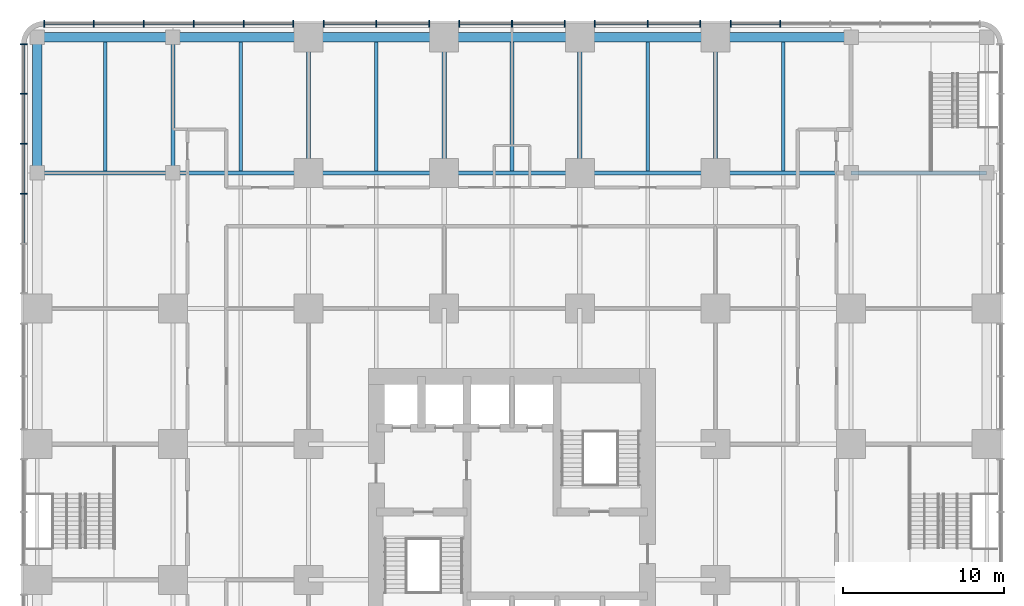
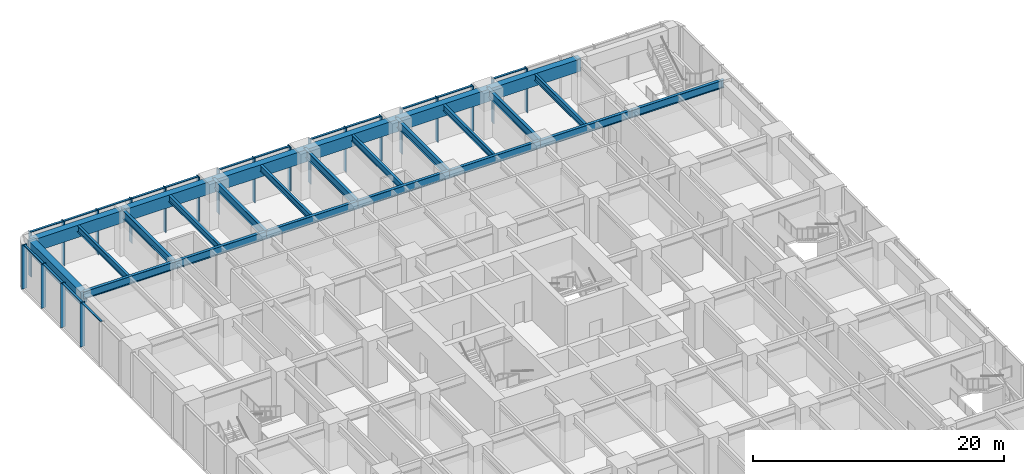
# One storey, part 7 of 19: 37 members, 25 beams, 2 elements without a shape of their own.
"""IFC4 building model written with IfcOpenShell, lengths in metres."""

from ifc_helpers import new_model, si_unit, direction, frame, origin, origin_2d, place, context, subcontext, project, spatial, rectangle, i_section, extrude, material, material_profile, profile_set, type_object, element, aggregate, save


model = new_model("IFC4")

# Units and contexts
model_context = context("Model", 3, precision=1e-05, world=origin(), true_north=direction((0.0, 1.0)))
body_context = subcontext(model_context, "Body", "Model", "MODEL_VIEW")
ifc_project = project(units=[si_unit("LENGTHUNIT", "METRE"), si_unit("AREAUNIT", "SQUARE_METRE"), si_unit("VOLUMEUNIT", "CUBIC_METRE"), si_unit("PLANEANGLEUNIT", "RADIAN"), si_unit("MASSUNIT", "GRAM", prefix="KILO")], contexts=[model_context])

# Site, building, storey
site_placement = place(None, origin())
site = spatial("IfcSite", under=ifc_project, at=site_placement, CompositionType="ELEMENT")
building_placement = place(site_placement, origin())
building = spatial("IfcBuilding", under=site, at=building_placement, Name="Torre Alcanfor", CompositionType="ELEMENT")
storey_placement = place(building_placement, frame((0.0, 0.0, 6.0)))
storey = spatial("IfcBuildingStorey", under=building, at=storey_placement, Name="L01", CompositionType="ELEMENT", Elevation=6.0)

# Curtain wall, members
ifc_material_1 = material(Name="Aluminium and glass", Category="aluminium")
curtain_wall_type = type_object("IfcCurtainWallType", Name="CW-B unitised classroom glazing with vertical FIN", PredefinedType="NOTDEFINED", material=ifc_material_1)
curtain_wall_1_placement = place(storey_placement, origin())
curtain_wall_1 = element("IfcCurtainWall", 1, at=curtain_wall_1_placement, inside=storey, type_object=curtain_wall_type, Name="Curtain wall CW-B L01 2", PredefinedType="NOTDEFINED")
ifc_material_2 = material(Name="Bronze anodised aluminium", Category="aluminium")
ifc_material_profile_1 = material_profile(ifc_material_2, rectangle(XDim=0.449951171875, YDim=0.06494140625, at=origin_2d()), Name="CW-B mullion 65x450")
ifc_profile_set_1 = profile_set([ifc_material_profile_1], Name="Bronze anodised aluminium")
member_type_1 = type_object("IfcMemberType", Name="CW-B mullion with vertical FIN 65x450", PredefinedType="MULLION", material=ifc_profile_set_1)
member_1_placement = place(storey_placement, frame((46.00390625, 59.64990234375, 0.0), z_axis=(0.0, 0.0, 1.0), x_axis=(0.0, -1.0, 0.0)))
member_1 = element("IfcMember", 2, at=member_1_placement, type_object=member_type_1, Name="CW-B mullion 1.5", PredefinedType="MULLION", context=body_context, shape_type="SweptSolid", body=[
    extrude(rectangle(XDim=0.449951171875, YDim=0.06494140625, at=origin_2d()), origin(), (0.0, 0.0, 1.0), 4.300048828125),
])
member_2_placement = place(storey_placement, frame((42.9375, 59.64990234375, 0.0), z_axis=(0.0, 0.0, 1.0), x_axis=(0.0, -1.0, 0.0)))
member_2 = element("IfcMember", 3, at=member_2_placement, type_object=member_type_1, Name="CW-B mullion 1.6", PredefinedType="MULLION", context=body_context, shape_type="SweptSolid", body=[
    extrude(rectangle(XDim=0.449951171875, YDim=0.06494140625, at=origin_2d()), origin(), (0.0, 0.0, 1.0), 4.300048828125),
])
member_3_placement = place(storey_placement, frame((41.0625, 59.64990234375, 0.0), z_axis=(0.0, 0.0, 1.0), x_axis=(0.0, -1.0, 0.0)))
member_3 = element("IfcMember", 4, at=member_3_placement, type_object=member_type_1, Name="CW-B mullion 2.1", PredefinedType="MULLION", context=body_context, shape_type="SweptSolid", body=[
    extrude(rectangle(XDim=0.449951171875, YDim=0.06494140625, at=origin_2d()), origin(), (0.0, 0.0, 1.0), 4.300048828125),
])
member_4_placement = place(storey_placement, frame((37.800048828125, 59.64990234375, 0.0), z_axis=(0.0, 0.0, 1.0), x_axis=(0.0, -1.0, 0.0)))
member_4 = element("IfcMember", 5, at=member_4_placement, type_object=member_type_1, Name="CW-B mullion 2.2", PredefinedType="MULLION", context=body_context, shape_type="SweptSolid", body=[
    extrude(rectangle(XDim=0.449951171875, YDim=0.06494140625, at=origin_2d()), origin(), (0.0, 0.0, 1.0), 4.300048828125),
])
member_5_placement = place(storey_placement, frame((34.53759765625, 59.64990234375, 0.0), z_axis=(0.0, 0.0, 1.0), x_axis=(0.0, -1.0, 0.0)))
member_5 = element("IfcMember", 6, at=member_5_placement, type_object=member_type_1, Name="CW-B mullion 2.3", PredefinedType="MULLION", context=body_context, shape_type="SweptSolid", body=[
    extrude(rectangle(XDim=0.449951171875, YDim=0.06494140625, at=origin_2d()), origin(), (0.0, 0.0, 1.0), 4.300048828125),
])
member_6_placement = place(storey_placement, frame((32.66259765625, 59.64990234375, 0.0), z_axis=(0.0, 0.0, 1.0), x_axis=(0.0, -1.0, 0.0)))
member_6 = element("IfcMember", 7, at=member_6_placement, type_object=member_type_1, Name="CW-B mullion 3.1", PredefinedType="MULLION", context=body_context, shape_type="SweptSolid", body=[
    extrude(rectangle(XDim=0.449951171875, YDim=0.06494140625, at=origin_2d()), origin(), (0.0, 0.0, 1.0), 4.300048828125),
])
member_7_placement = place(storey_placement, frame((29.39990234375, 59.64990234375, 0.0), z_axis=(0.0, 0.0, 1.0), x_axis=(0.0, -1.0, 0.0)))
member_7 = element("IfcMember", 8, at=member_7_placement, type_object=member_type_1, Name="CW-B mullion 3.2", PredefinedType="MULLION", context=body_context, shape_type="SweptSolid", body=[
    extrude(rectangle(XDim=0.449951171875, YDim=0.06494140625, at=origin_2d()), origin(), (0.0, 0.0, 1.0), 4.300048828125),
])
member_8_placement = place(storey_placement, frame((26.137451171875, 59.64990234375, 0.0), z_axis=(0.0, 0.0, 1.0), x_axis=(0.0, -1.0, 0.0)))
member_8 = element("IfcMember", 9, at=member_8_placement, type_object=member_type_1, Name="CW-B mullion 3.3", PredefinedType="MULLION", context=body_context, shape_type="SweptSolid", body=[
    extrude(rectangle(XDim=0.449951171875, YDim=0.06494140625, at=origin_2d()), origin(), (0.0, 0.0, 1.0), 4.300048828125),
])
member_9_placement = place(storey_placement, frame((24.262451171875, 59.64990234375, 0.0), z_axis=(0.0, 0.0, 1.0), x_axis=(0.0, -1.0, 0.0)))
member_9 = element("IfcMember", 10, at=member_9_placement, type_object=member_type_1, Name="CW-B mullion 4.1", PredefinedType="MULLION", context=body_context, shape_type="SweptSolid", body=[
    extrude(rectangle(XDim=0.449951171875, YDim=0.06494140625, at=origin_2d()), origin(), (0.0, 0.0, 1.0), 4.300048828125),
])
member_10_placement = place(storey_placement, frame((21.0, 59.64990234375, 0.0), z_axis=(0.0, 0.0, 1.0), x_axis=(0.0, -1.0, 0.0)))
member_10 = element("IfcMember", 11, at=member_10_placement, type_object=member_type_1, Name="CW-B mullion 4.2", PredefinedType="MULLION", context=body_context, shape_type="SweptSolid", body=[
    extrude(rectangle(XDim=0.449951171875, YDim=0.06494140625, at=origin_2d()), origin(), (0.0, 0.0, 1.0), 4.300048828125),
])
member_11_placement = place(storey_placement, frame((17.737548828125, 59.64990234375, 0.0), z_axis=(0.0, 0.0, 1.0), x_axis=(0.0, -1.0, 0.0)))
member_11 = element("IfcMember", 12, at=member_11_placement, type_object=member_type_1, Name="CW-B mullion 4.3", PredefinedType="MULLION", context=body_context, shape_type="SweptSolid", body=[
    extrude(rectangle(XDim=0.449951171875, YDim=0.06494140625, at=origin_2d()), origin(), (0.0, 0.0, 1.0), 4.300048828125),
])
member_12_placement = place(storey_placement, frame((15.862548828125, 59.64990234375, 0.0), z_axis=(0.0, 0.0, 1.0), x_axis=(0.0, -1.0, 0.0)))
member_12 = element("IfcMember", 13, at=member_12_placement, type_object=member_type_1, Name="CW-B mullion 5.1", PredefinedType="MULLION", context=body_context, shape_type="SweptSolid", body=[
    extrude(rectangle(XDim=0.449951171875, YDim=0.06494140625, at=origin_2d()), origin(), (0.0, 0.0, 1.0), 4.300048828125),
])
member_13_placement = place(storey_placement, frame((12.7958984375, 59.64990234375, 0.0), z_axis=(0.0, 0.0, 1.0), x_axis=(0.0, -1.0, 0.0)))
member_13 = element("IfcMember", 14, at=member_13_placement, type_object=member_type_1, Name="CW-B mullion 5.2", PredefinedType="MULLION", context=body_context, shape_type="SweptSolid", body=[
    extrude(rectangle(XDim=0.449951171875, YDim=0.06494140625, at=origin_2d()), origin(), (0.0, 0.0, 1.0), 4.300048828125),
])
member_14_placement = place(storey_placement, frame((9.697021484375, 59.64990234375, 0.0), z_axis=(0.0, 0.0, 1.0), x_axis=(0.0, -1.0, 0.0)))
member_14 = element("IfcMember", 15, at=member_14_placement, type_object=member_type_1, Name="CW-B mullion 5.3", PredefinedType="MULLION", context=body_context, shape_type="SweptSolid", body=[
    extrude(rectangle(XDim=0.449951171875, YDim=0.06494140625, at=origin_2d()), origin(), (0.0, 0.0, 1.0), 4.300048828125),
])
member_15_placement = place(storey_placement, frame((6.597900390625, 59.64990234375, 0.0), z_axis=(0.0, 0.0, 1.0), x_axis=(0.0, -1.0, 0.0)))
member_15 = element("IfcMember", 16, at=member_15_placement, type_object=member_type_1, Name="CW-B mullion 5.4", PredefinedType="MULLION", context=body_context, shape_type="SweptSolid", body=[
    extrude(rectangle(XDim=0.449951171875, YDim=0.06494140625, at=origin_2d()), origin(), (0.0, 0.0, 1.0), 4.300048828125),
])
member_16_placement = place(storey_placement, frame((3.4990234375, 59.64990234375, 0.0), z_axis=(0.0, 0.0, 1.0), x_axis=(0.0, -1.0, 0.0)))
member_16 = element("IfcMember", 17, at=member_16_placement, type_object=member_type_1, Name="CW-B mullion 5.5", PredefinedType="MULLION", context=body_context, shape_type="SweptSolid", body=[
    extrude(rectangle(XDim=0.449951171875, YDim=0.06494140625, at=origin_2d()), origin(), (0.0, 0.0, 1.0), 4.300048828125),
])
member_17_placement = place(storey_placement, frame((0.4326171875, 59.64990234375, 0.0), z_axis=(0.0, 0.0, 1.0), x_axis=(0.0, -1.0, 0.0)))
member_17 = element("IfcMember", 18, at=member_17_placement, type_object=member_type_1, Name="CW-B mullion 5.6", PredefinedType="MULLION", context=body_context, shape_type="SweptSolid", body=[
    extrude(rectangle(XDim=0.449951171875, YDim=0.06494140625, at=origin_2d()), origin(), (0.0, 0.0, 1.0), 4.300048828125),
])

curtain_wall_2_placement = place(storey_placement, origin())
curtain_wall_2 = element("IfcCurtainWall", 19, at=curtain_wall_2_placement, inside=storey, type_object=curtain_wall_type, Name="Curtain wall CW-B L01 3", PredefinedType="NOTDEFINED")
member_18_placement = place(storey_placement, frame((-0.85009765625, 58.367431640625, 0.0), z_axis=(0.0, 0.0, 1.0), x_axis=(1.0, 0.0, 0.0)))
member_18 = element("IfcMember", 20, at=member_18_placement, type_object=member_type_1, Name="CW-B mullion 1.1", PredefinedType="MULLION", context=body_context, shape_type="SweptSolid", body=[
    extrude(rectangle(XDim=0.449951171875, YDim=0.06494140625, at=origin_2d()), origin(), (0.0, 0.0, 1.0), 4.300048828125),
])
member_19_placement = place(storey_placement, frame((-0.85009765625, 55.301025390625, 0.0), z_axis=(0.0, 0.0, 1.0), x_axis=(1.0, 0.0, 0.0)))
member_19 = element("IfcMember", 21, at=member_19_placement, type_object=member_type_1, Name="CW-B mullion 1.2", PredefinedType="MULLION", context=body_context, shape_type="SweptSolid", body=[
    extrude(rectangle(XDim=0.449951171875, YDim=0.06494140625, at=origin_2d()), origin(), (0.0, 0.0, 1.0), 4.300048828125),
])
member_20_placement = place(storey_placement, frame((-0.85009765625, 52.201904296875, 0.0), z_axis=(0.0, 0.0, 1.0), x_axis=(1.0, 0.0, 0.0)))
member_20 = element("IfcMember", 22, at=member_20_placement, type_object=member_type_1, Name="CW-B mullion 1.3", PredefinedType="MULLION", context=body_context, shape_type="SweptSolid", body=[
    extrude(rectangle(XDim=0.449951171875, YDim=0.06494140625, at=origin_2d()), origin(), (0.0, 0.0, 1.0), 4.300048828125),
])
member_21_placement = place(storey_placement, frame((-0.85009765625, 49.10302734375, 0.0), z_axis=(0.0, 0.0, 1.0), x_axis=(1.0, 0.0, 0.0)))
member_21 = element("IfcMember", 23, at=member_21_placement, type_object=member_type_1, Name="CW-B mullion 1.4", PredefinedType="MULLION", context=body_context, shape_type="SweptSolid", body=[
    extrude(rectangle(XDim=0.449951171875, YDim=0.06494140625, at=origin_2d()), origin(), (0.0, 0.0, 1.0), 4.300048828125),
])

# Member
ifc_material_3 = material(Name="Extruded aluminium", Category="aluminium")
ifc_material_profile_2 = material_profile(ifc_material_3, rectangle(XDim=0.199951171875, YDim=0.06494140625, at=origin_2d()), Name="CW-B transom 200x65")
ifc_profile_set_2 = profile_set([ifc_material_profile_2], Name="Extruded aluminium")
member_type_2 = type_object("IfcMemberType", Name="CW-B transom 65x200", PredefinedType="USERDEFINED", material=ifc_profile_set_2)
member_22_placement = place(storey_placement, frame((45.971435546875, 59.64990234375, 4.267578125), z_axis=(-1.0, 0.0, 0.0), x_axis=(0.0, -1.0, 0.0)))
member_22 = element("IfcMember", 24, at=member_22_placement, type_object=member_type_2, Name="CW-B transom 1.5.2", ObjectType="TRANSOM", PredefinedType="USERDEFINED", context=body_context, shape_type="SweptSolid", body=[
    extrude(rectangle(XDim=0.199951171875, YDim=0.06494140625, at=origin_2d()), origin(), (0.0, 0.0, 1.0), 3.00146484375),
])

member_23_placement = place(storey_placement, frame((41.030029296875, 59.64990234375, 4.267578125), z_axis=(-1.0, 0.0, 0.0), x_axis=(0.0, -1.0, 0.0)))
member_23 = element("IfcMember", 25, at=member_23_placement, type_object=member_type_2, Name="CW-B transom 2.1.2", ObjectType="TRANSOM", PredefinedType="USERDEFINED", context=body_context, shape_type="SweptSolid", body=[
    extrude(rectangle(XDim=0.199951171875, YDim=0.06494140625, at=origin_2d()), origin(), (0.0, 0.0, 1.0), 3.197509765625),
])

member_24_placement = place(storey_placement, frame((37.767578125, 59.64990234375, 4.267578125), z_axis=(-1.0, 0.0, 0.0), x_axis=(0.0, -1.0, 0.0)))
member_24 = element("IfcMember", 26, at=member_24_placement, type_object=member_type_2, Name="CW-B transom 2.2.2", ObjectType="TRANSOM", PredefinedType="USERDEFINED", context=body_context, shape_type="SweptSolid", body=[
    extrude(rectangle(XDim=0.199951171875, YDim=0.06494140625, at=origin_2d()), origin(), (0.0, 0.0, 1.0), 3.197509765625),
])

member_25_placement = place(storey_placement, frame((32.6298828125, 59.64990234375, 4.267578125), z_axis=(-1.0, 0.0, 0.0), x_axis=(0.0, -1.0, 0.0)))
member_25 = element("IfcMember", 27, at=member_25_placement, type_object=member_type_2, Name="CW-B transom 3.1.2", ObjectType="TRANSOM", PredefinedType="USERDEFINED", context=body_context, shape_type="SweptSolid", body=[
    extrude(rectangle(XDim=0.199951171875, YDim=0.06494140625, at=origin_2d()), origin(), (0.0, 0.0, 1.0), 3.197265625),
])

member_26_placement = place(storey_placement, frame((29.367431640625, 59.64990234375, 4.267578125), z_axis=(-1.0, 0.0, 0.0), x_axis=(0.0, -1.0, 0.0)))
member_26 = element("IfcMember", 28, at=member_26_placement, type_object=member_type_2, Name="CW-B transom 3.2.2", ObjectType="TRANSOM", PredefinedType="USERDEFINED", context=body_context, shape_type="SweptSolid", body=[
    extrude(rectangle(XDim=0.199951171875, YDim=0.06494140625, at=origin_2d()), origin(), (0.0, 0.0, 1.0), 3.197509765625),
])

member_27_placement = place(storey_placement, frame((24.22998046875, 59.64990234375, 4.267578125), z_axis=(-1.0, 0.0, 0.0), x_axis=(0.0, -1.0, 0.0)))
member_27 = element("IfcMember", 29, at=member_27_placement, type_object=member_type_2, Name="CW-B transom 4.1.2", ObjectType="TRANSOM", PredefinedType="USERDEFINED", context=body_context, shape_type="SweptSolid", body=[
    extrude(rectangle(XDim=0.199951171875, YDim=0.06494140625, at=origin_2d()), origin(), (0.0, 0.0, 1.0), 3.197509765625),
])

member_28_placement = place(storey_placement, frame((20.967529296875, 59.64990234375, 4.267578125), z_axis=(-1.0, 0.0, 0.0), x_axis=(0.0, -1.0, 0.0)))
member_28 = element("IfcMember", 30, at=member_28_placement, type_object=member_type_2, Name="CW-B transom 4.2.2", ObjectType="TRANSOM", PredefinedType="USERDEFINED", context=body_context, shape_type="SweptSolid", body=[
    extrude(rectangle(XDim=0.199951171875, YDim=0.06494140625, at=origin_2d()), origin(), (0.0, 0.0, 1.0), 3.197509765625),
])

member_29_placement = place(storey_placement, frame((15.830078125, 59.64990234375, 4.267578125), z_axis=(-1.0, 0.0, 0.0), x_axis=(0.0, -1.0, 0.0)))
member_29 = element("IfcMember", 31, at=member_29_placement, type_object=member_type_2, Name="CW-B transom 5.1.2", ObjectType="TRANSOM", PredefinedType="USERDEFINED", context=body_context, shape_type="SweptSolid", body=[
    extrude(rectangle(XDim=0.199951171875, YDim=0.06494140625, at=origin_2d()), origin(), (0.0, 0.0, 1.0), 3.00146484375),
])

member_30_placement = place(storey_placement, frame((12.763427734375, 59.64990234375, 4.267578125), z_axis=(-1.0, 0.0, 0.0), x_axis=(0.0, -1.0, 0.0)))
member_30 = element("IfcMember", 32, at=member_30_placement, type_object=member_type_2, Name="CW-B transom 5.2.2", ObjectType="TRANSOM", PredefinedType="USERDEFINED", context=body_context, shape_type="SweptSolid", body=[
    extrude(rectangle(XDim=0.199951171875, YDim=0.06494140625, at=origin_2d()), origin(), (0.0, 0.0, 1.0), 3.033935546875),
])

member_31_placement = place(storey_placement, frame((9.66455078125, 59.64990234375, 4.267578125), z_axis=(-1.0, 0.0, 0.0), x_axis=(0.0, -1.0, 0.0)))
member_31 = element("IfcMember", 33, at=member_31_placement, type_object=member_type_2, Name="CW-B transom 5.3.2", ObjectType="TRANSOM", PredefinedType="USERDEFINED", context=body_context, shape_type="SweptSolid", body=[
    extrude(rectangle(XDim=0.199951171875, YDim=0.06494140625, at=origin_2d()), origin(), (0.0, 0.0, 1.0), 3.033935546875),
])

member_32_placement = place(storey_placement, frame((6.5654296875, 59.64990234375, 4.267578125), z_axis=(-1.0, 0.0, 0.0), x_axis=(0.0, -1.0, 0.0)))
member_32 = element("IfcMember", 34, at=member_32_placement, type_object=member_type_2, Name="CW-B transom 5.4.2", ObjectType="TRANSOM", PredefinedType="USERDEFINED", context=body_context, shape_type="SweptSolid", body=[
    extrude(rectangle(XDim=0.199951171875, YDim=0.06494140625, at=origin_2d()), origin(), (0.0, 0.0, 1.0), 3.033935546875),
])

member_33_placement = place(storey_placement, frame((3.466552734375, 59.64990234375, 4.267578125), z_axis=(-1.0, 0.0, 0.0), x_axis=(0.0, -1.0, 0.0)))
member_33 = element("IfcMember", 35, at=member_33_placement, type_object=member_type_2, Name="CW-B transom 5.5.2", ObjectType="TRANSOM", PredefinedType="USERDEFINED", context=body_context, shape_type="SweptSolid", body=[
    extrude(rectangle(XDim=0.199951171875, YDim=0.06494140625, at=origin_2d()), origin(), (0.0, 0.0, 1.0), 3.00146484375),
])

aggregate(curtain_wall_1, [member_1, member_2, member_22, member_3, member_4, member_5, member_23, member_24, member_6, member_7, member_8, member_25, member_26, member_9, member_10, member_11, member_27, member_28, member_12, member_13, member_14, member_15, member_16, member_17, member_29, member_30, member_31, member_32, member_33])

member_34_placement = place(storey_placement, frame((-0.85009765625, 58.3349609375, 4.267578125), z_axis=(0.0, -1.0, 0.0), x_axis=(1.0, 0.0, 0.0)))
member_34 = element("IfcMember", 36, at=member_34_placement, type_object=member_type_2, Name="CW-B transom 1.1.2", ObjectType="TRANSOM", PredefinedType="USERDEFINED", context=body_context, shape_type="SweptSolid", body=[
    extrude(rectangle(XDim=0.199951171875, YDim=0.06494140625, at=origin_2d()), origin(), (0.0, 0.0, 1.0), 3.00146484375),
])

member_35_placement = place(storey_placement, frame((-0.85009765625, 55.2685546875, 4.267578125), z_axis=(0.0, -1.0, 0.0), x_axis=(1.0, 0.0, 0.0)))
member_35 = element("IfcMember", 37, at=member_35_placement, type_object=member_type_2, Name="CW-B transom 1.2.2", ObjectType="TRANSOM", PredefinedType="USERDEFINED", context=body_context, shape_type="SweptSolid", body=[
    extrude(rectangle(XDim=0.199951171875, YDim=0.06494140625, at=origin_2d()), origin(), (0.0, 0.0, 1.0), 3.033935546875),
])

member_36_placement = place(storey_placement, frame((-0.85009765625, 52.16943359375, 4.267578125), z_axis=(0.0, -1.0, 0.0), x_axis=(1.0, 0.0, 0.0)))
member_36 = element("IfcMember", 38, at=member_36_placement, type_object=member_type_2, Name="CW-B transom 1.3.2", ObjectType="TRANSOM", PredefinedType="USERDEFINED", context=body_context, shape_type="SweptSolid", body=[
    extrude(rectangle(XDim=0.199951171875, YDim=0.06494140625, at=origin_2d()), origin(), (0.0, 0.0, 1.0), 3.033935546875),
])

member_37_placement = place(storey_placement, frame((-0.85009765625, 49.070556640625, 4.267578125), z_axis=(0.0, -1.0, 0.0), x_axis=(1.0, 0.0, 0.0)))
member_37 = element("IfcMember", 39, at=member_37_placement, type_object=member_type_2, Name="CW-B transom 1.4.2", ObjectType="TRANSOM", PredefinedType="USERDEFINED", context=body_context, shape_type="SweptSolid", body=[
    extrude(rectangle(XDim=0.199951171875, YDim=0.06494140625, at=origin_2d()), origin(), (0.0, 0.0, 1.0), 3.033935546875),
])

aggregate(curtain_wall_2, [member_18, member_19, member_20, member_21, member_34, member_35, member_36, member_37])

# Beams
ifc_material_4 = material(Name="Steel ASTM A992 Grade 50", Category="steel")
ifc_material_profile_3 = material_profile(ifc_material_4, i_section(OverallWidth=0.2666015625, OverallDepth=0.7568359375, WebThickness=0.013916015625, FlangeThickness=0.019287109375, at=origin_2d()), Name="W30x108")
ifc_profile_set_3 = profile_set([ifc_material_profile_3], Name="Steel ASTM A992 Grade 50")
beam_type_1 = type_object("IfcBeamType", Name="Girder W30x108", PredefinedType="BEAM", material=ifc_profile_set_3)
beam_1_placement = place(storey_placement, frame((0.0, 50.39990234375, 3.921630859375), z_axis=(1.0, 0.0, 0.0), x_axis=(0.0, 1.0, 0.0)))
element("IfcBeam", 40, at=beam_1_placement, inside=storey, type_object=beam_type_1, Name="Beam 1J-2J under L02", PredefinedType="BEAM", context=body_context, shape_type="SweptSolid", body=[
    extrude(i_section(OverallWidth=0.2666015625, OverallDepth=0.7568359375, WebThickness=0.013916015625, FlangeThickness=0.019287109375, at=origin_2d()), origin(), (0.0, 0.0, 1.0), 8.39990234375),
])
beam_2_placement = place(storey_placement, frame((8.39990234375, 50.39990234375, 3.921630859375), z_axis=(1.0, 0.0, 0.0), x_axis=(0.0, 1.0, 0.0)))
element("IfcBeam", 41, at=beam_2_placement, inside=storey, type_object=beam_type_1, Name="Beam 2J-3J under L02", PredefinedType="BEAM", context=body_context, shape_type="SweptSolid", body=[
    extrude(i_section(OverallWidth=0.2666015625, OverallDepth=0.7568359375, WebThickness=0.013916015625, FlangeThickness=0.019287109375, at=origin_2d()), origin(), (0.0, 0.0, 1.0), 8.400146484375),
])
beam_3_placement = place(storey_placement, frame((16.800048828125, 50.39990234375, 3.921630859375), z_axis=(1.0, 0.0, 0.0), x_axis=(0.0, 1.0, 0.0)))
element("IfcBeam", 42, at=beam_3_placement, inside=storey, type_object=beam_type_1, Name="Beam 3J-4J under L02", PredefinedType="BEAM", context=body_context, shape_type="SweptSolid", body=[
    extrude(i_section(OverallWidth=0.2666015625, OverallDepth=0.7568359375, WebThickness=0.013916015625, FlangeThickness=0.019287109375, at=origin_2d()), origin(), (0.0, 0.0, 1.0), 8.39990234375),
])
beam_4_placement = place(storey_placement, frame((25.199951171875, 50.39990234375, 3.921630859375), z_axis=(1.0, 0.0, 0.0), x_axis=(0.0, 1.0, 0.0)))
element("IfcBeam", 43, at=beam_4_placement, inside=storey, type_object=beam_type_1, Name="Beam 4J-5J under L02", PredefinedType="BEAM", context=body_context, shape_type="SweptSolid", body=[
    extrude(i_section(OverallWidth=0.2666015625, OverallDepth=0.7568359375, WebThickness=0.013916015625, FlangeThickness=0.019287109375, at=origin_2d()), origin(), (0.0, 0.0, 1.0), 8.400146484375),
])
for number, where, z_axis, x_axis, name in (
    (44, (33.60009765625, 50.39990234375, 3.921630859375), (1.0, 0.0, 0.0), (0.0, 1.0, 0.0), "Beam 5J-6J under L02"),
    (45, (42.0, 50.39990234375, 3.921630859375), (1.0, 0.0, 0.0), (0.0, 1.0, 0.0), "Beam 6J-7J under L02"),
):
    element("IfcBeam", number, at=place(storey_placement, frame(where, z_axis=z_axis, x_axis=x_axis)), inside=storey, type_object=beam_type_1, Name=name, PredefinedType="BEAM", context=body_context, shape_type="SweptSolid", body=[
        extrude(i_section(OverallWidth=0.2666015625, OverallDepth=0.7568359375, WebThickness=0.013916015625, FlangeThickness=0.019287109375, at=origin_2d()), origin(), (0.0, 0.0, 1.0), 8.39990234375),
    ])
for number, where, z_axis, x_axis, name in (
    (46, (50.39990234375, 50.39990234375, 3.921630859375), (1.0, 0.0, 0.0), (0.0, 1.0, 0.0), "Beam 7J-8J under L02"),
    (47, (8.39990234375, 50.39990234375, 3.921630859375), (0.0, 1.0, 0.0), (-1.0, 0.0, 0.0), "Beam 2J-2K under L02"),
    (48, (16.800048828125, 50.39990234375, 3.921630859375), (0.0, 1.0, 0.0), (-1.0, 0.0, 0.0), "Beam 3J-3K under L02"),
    (49, (25.199951171875, 50.39990234375, 3.921630859375), (0.0, 1.0, 0.0), (-1.0, 0.0, 0.0), "Beam 4J-4K under L02"),
    (50, (33.60009765625, 50.39990234375, 3.921630859375), (0.0, 1.0, 0.0), (-1.0, 0.0, 0.0), "Beam 5J-5K under L02"),
    (51, (42.0, 50.39990234375, 3.921630859375), (0.0, 1.0, 0.0), (-1.0, 0.0, 0.0), "Beam 6J-6K under L02"),
):
    element("IfcBeam", number, at=place(storey_placement, frame(where, z_axis=z_axis, x_axis=x_axis)), inside=storey, type_object=beam_type_1, Name=name, PredefinedType="BEAM", context=body_context, shape_type="SweptSolid", body=[
        extrude(i_section(OverallWidth=0.2666015625, OverallDepth=0.7568359375, WebThickness=0.013916015625, FlangeThickness=0.019287109375, at=origin_2d()), origin(), (0.0, 0.0, 1.0), 8.400146484375),
    ])
ifc_material_5 = material(Name="Concrete f'c 70 MPa", Category="concrete")
ifc_material_profile_4 = material_profile(ifc_material_5, rectangle(XDim=0.60009765625, YDim=1.199951171875, at=origin_2d()), Name="600x1200")
ifc_profile_set_4 = profile_set([ifc_material_profile_4], Name="Concrete f'c 70 MPa")
beam_type_2 = type_object("IfcBeamType", Name="RC perimeter beam 600x1200", PredefinedType="BEAM", material=ifc_profile_set_4)
beam_5_placement = place(storey_placement, frame((0.0, 58.800048828125, 3.699951171875), z_axis=(1.0, 0.0, 0.0), x_axis=(0.0, 1.0, 0.0)))
element("IfcBeam", 52, at=beam_5_placement, inside=storey, type_object=beam_type_2, Name="Beam 1K-2K under L02", PredefinedType="BEAM", context=body_context, shape_type="SweptSolid", body=[
    extrude(rectangle(XDim=0.60009765625, YDim=1.199951171875, at=origin_2d()), origin(), (0.0, 0.0, 1.0), 8.39990234375),
])
beam_6_placement = place(storey_placement, frame((8.39990234375, 58.800048828125, 3.699951171875), z_axis=(1.0, 0.0, 0.0), x_axis=(0.0, 1.0, 0.0)))
element("IfcBeam", 53, at=beam_6_placement, inside=storey, type_object=beam_type_2, Name="Beam 2K-3K under L02", PredefinedType="BEAM", context=body_context, shape_type="SweptSolid", body=[
    extrude(rectangle(XDim=0.60009765625, YDim=1.199951171875, at=origin_2d()), origin(), (0.0, 0.0, 1.0), 8.400146484375),
])
beam_7_placement = place(storey_placement, frame((16.800048828125, 58.800048828125, 3.699951171875), z_axis=(1.0, 0.0, 0.0), x_axis=(0.0, 1.0, 0.0)))
element("IfcBeam", 54, at=beam_7_placement, inside=storey, type_object=beam_type_2, Name="Beam 3K-4K under L02", PredefinedType="BEAM", context=body_context, shape_type="SweptSolid", body=[
    extrude(rectangle(XDim=0.60009765625, YDim=1.199951171875, at=origin_2d()), origin(), (0.0, 0.0, 1.0), 8.39990234375),
])
beam_8_placement = place(storey_placement, frame((25.199951171875, 58.800048828125, 3.699951171875), z_axis=(1.0, 0.0, 0.0), x_axis=(0.0, 1.0, 0.0)))
element("IfcBeam", 55, at=beam_8_placement, inside=storey, type_object=beam_type_2, Name="Beam 4K-5K under L02", PredefinedType="BEAM", context=body_context, shape_type="SweptSolid", body=[
    extrude(rectangle(XDim=0.60009765625, YDim=1.199951171875, at=origin_2d()), origin(), (0.0, 0.0, 1.0), 8.400146484375),
])
for number, where, z_axis, x_axis, name in (
    (56, (33.60009765625, 58.800048828125, 3.699951171875), (1.0, 0.0, 0.0), (0.0, 1.0, 0.0), "Beam 5K-6K under L02"),
    (57, (42.0, 58.800048828125, 3.699951171875), (1.0, 0.0, 0.0), (0.0, 1.0, 0.0), "Beam 6K-7K under L02"),
):
    element("IfcBeam", number, at=place(storey_placement, frame(where, z_axis=z_axis, x_axis=x_axis)), inside=storey, type_object=beam_type_2, Name=name, PredefinedType="BEAM", context=body_context, shape_type="SweptSolid", body=[
        extrude(rectangle(XDim=0.60009765625, YDim=1.199951171875, at=origin_2d()), origin(), (0.0, 0.0, 1.0), 8.39990234375),
    ])
beam_9_placement = place(storey_placement, frame((0.0, 50.39990234375, 3.699951171875), z_axis=(0.0, 1.0, 0.0), x_axis=(-1.0, 0.0, 0.0)))
element("IfcBeam", 58, at=beam_9_placement, inside=storey, type_object=beam_type_2, Name="Beam 1J-1K under L02", PredefinedType="BEAM", context=body_context, shape_type="SweptSolid", body=[
    extrude(rectangle(XDim=0.60009765625, YDim=1.199951171875, at=origin_2d()), origin(), (0.0, 0.0, 1.0), 8.400146484375),
])
ifc_material_6 = material(Name="Steel ASTM A992 Grade 50", Category="steel")
ifc_material_profile_5 = material_profile(ifc_material_6, i_section(OverallWidth=0.22900390625, OverallDepth=0.612060546875, WebThickness=0.011962890625, FlangeThickness=0.01953125, at=origin_2d()), Name="W24x84")
ifc_profile_set_5 = profile_set([ifc_material_profile_5], Name="Steel ASTM A992 Grade 50")
beam_type_3 = type_object("IfcBeamType", Name="Secondary beam W24x84", PredefinedType="BEAM", material=ifc_profile_set_5)
for number, where, z_axis, x_axis, name in (
    (59, (4.199951171875, 50.532958984375, 3.993896484375), (0.0, 1.0, 0.0), (-1.0, 0.0, 0.0), "Beam 4_2J-4_2K under L02"),
    (60, (12.60009765625, 50.532958984375, 3.993896484375), (0.0, 1.0, 0.0), (-1.0, 0.0, 0.0), "Beam 12_6J-12_6K under L02"),
    (61, (21.0, 50.532958984375, 3.993896484375), (0.0, 1.0, 0.0), (-1.0, 0.0, 0.0), "Beam 21J-21K under L02"),
    (62, (29.39990234375, 50.532958984375, 3.993896484375), (0.0, 1.0, 0.0), (-1.0, 0.0, 0.0), "Beam 29_4J-29_4K under L02"),
    (63, (37.800048828125, 50.532958984375, 3.993896484375), (0.0, 1.0, 0.0), (-1.0, 0.0, 0.0), "Beam 37_8J-37_8K under L02"),
    (64, (46.199951171875, 50.532958984375, 3.993896484375), (0.0, 1.0, 0.0), (-1.0, 0.0, 0.0), "Beam 46_2J-46_2K under L02"),
):
    element("IfcBeam", number, at=place(storey_placement, frame(where, z_axis=z_axis, x_axis=x_axis)), inside=storey, type_object=beam_type_3, Name=name, PredefinedType="BEAM", context=body_context, shape_type="SweptSolid", body=[
        extrude(i_section(OverallWidth=0.22900390625, OverallDepth=0.612060546875, WebThickness=0.011962890625, FlangeThickness=0.01953125, at=origin_2d()), origin(), (0.0, 0.0, 1.0), 7.967041015625),
    ])

save(model, "model.ifc")
